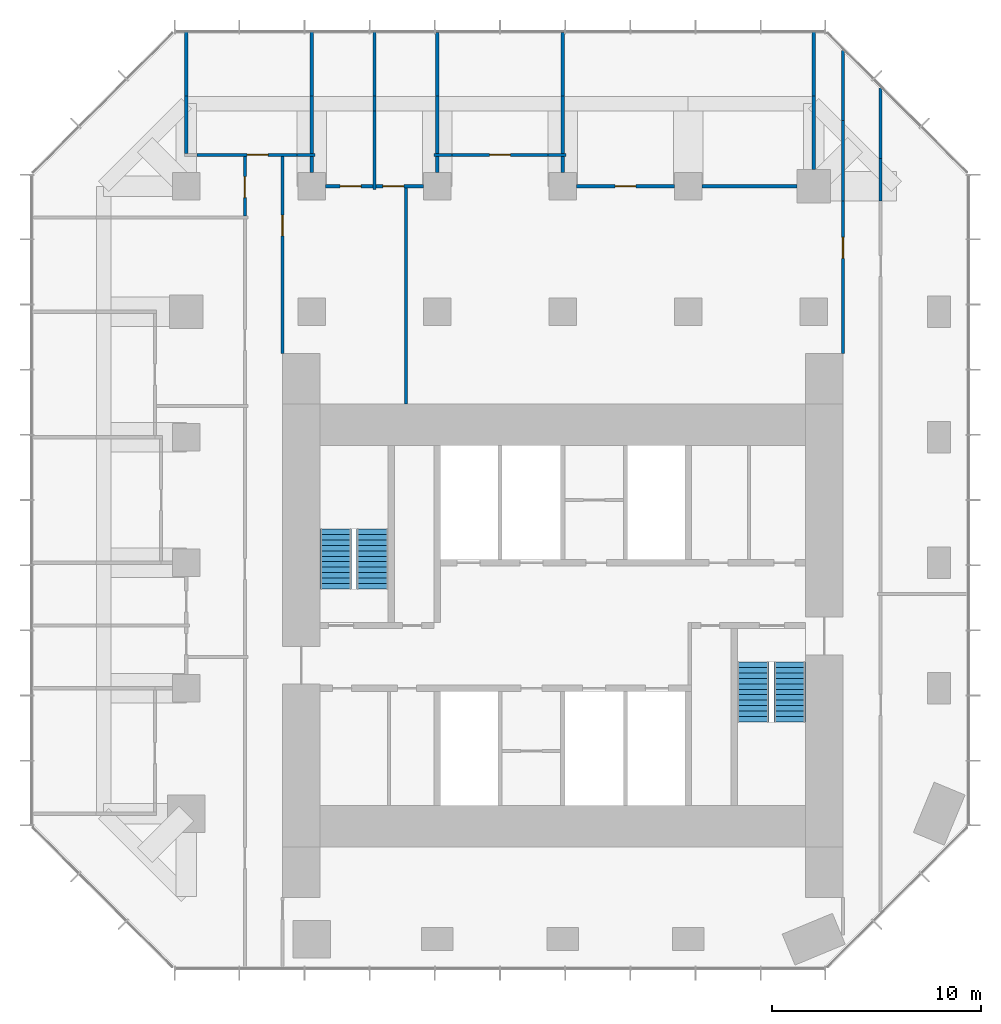
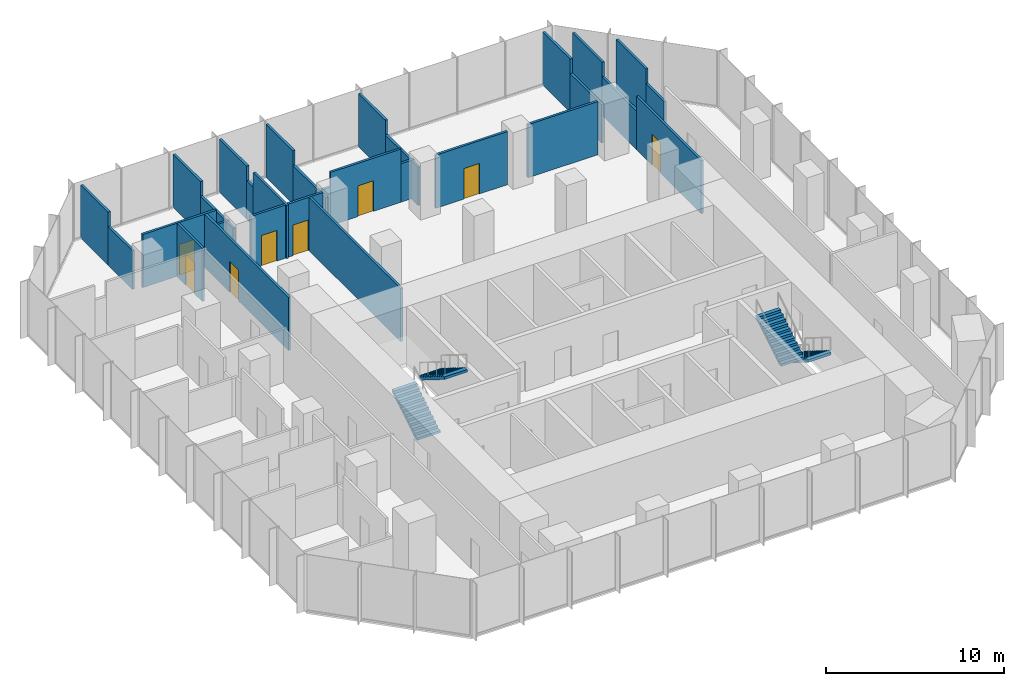
# One storey, part 10 of 11: 33 walls, 8 doors, 4 stair flights, 8 openings, 2 elements without a shape of their own.
"""IFC4 building model written with IfcOpenShell, lengths in metres."""

import ifcopenshell
import ifcopenshell.guid

model = None  # the IFC model being written
_history = None  # IfcOwnerHistory: only IFC2X3 demands one
_inside = {}  # id of a spatial element -> (the spatial element, [elements in it])
_under = {}  # id of a project, library or spatial element -> (it, [spatial elements below it])
_declared = {}  # id of a project -> (the project, [libraries it declares])
_typed = {}  # id of a type object -> (the type object, [elements of that type])
_made_of = {}  # id of a material, layer set ... -> (it, [elements and type objects made of it])


def new_model(schema):
    """Start an empty IFC model of exactly this schema.

    Asked for "IFC4X3", IfcOpenShell would pick the latest addendum, in which some entities
    have other attributes; the version numbers below select the first issue.
    IFC2X3 requires an IfcOwnerHistory on every rooted entity: one is made here for all.
    """
    global model, _history
    if schema == "IFC4X3":
        model = ifcopenshell.file(schema_version=(4, 3, 0, 0))
    else:
        model = ifcopenshell.file(schema=schema)
    _inside.clear()
    _under.clear()
    _declared.clear()
    _typed.clear()
    _made_of.clear()
    _history = None
    if model.schema == "IFC2X3":
        org = make("IfcOrganization", Name="unknown")
        user = make(
            "IfcPersonAndOrganization",
            ThePerson=make("IfcPerson", FamilyName="unknown"),
            TheOrganization=org,
        )
        app = make(
            "IfcApplication",
            ApplicationDeveloper=org,
            Version="unknown",
            ApplicationFullName="unknown",
            ApplicationIdentifier="unknown",
        )
        _history = make(
            "IfcOwnerHistory",
            OwningUser=user,
            OwningApplication=app,
            ChangeAction="ADDED",
            CreationDate=0,
        )
    return model


def make(cls, **values):
    """One entity of the class cls with the attributes given. An attribute that is None is left unset."""
    return model.create_entity(
        cls, **{name: value for name, value in values.items() if value is not None}
    )


def rooted(cls, **values):
    """An entity with a GlobalId (a new one), such as an element, a storey or a relation."""
    return make(cls, GlobalId=ifcopenshell.guid.new(), OwnerHistory=_history, **values)


def si_unit(unit_type, name, prefix=None):
    """IfcSIUnit, for example si_unit("LENGTHUNIT", "METRE", prefix="MILLI")."""
    return make("IfcSIUnit", UnitType=unit_type, Prefix=prefix, Name=name)


def assignment(units):
    """IfcUnitAssignment: the units of a project."""
    return None if units is None else make("IfcUnitAssignment", Units=units)


def point(xyz):
    """IfcCartesianPoint."""
    return None if xyz is None else make("IfcCartesianPoint", Coordinates=xyz)


def direction(xyz):
    """IfcDirection."""
    return None if xyz is None else make("IfcDirection", DirectionRatios=xyz)


def frame(location, z_axis=None, x_axis=None):
    """IfcAxis2Placement3D, a coordinate frame: its origin and axes. An axis left out is left unset."""
    return make(
        "IfcAxis2Placement3D",
        Location=point(location),
        Axis=direction(z_axis),
        RefDirection=direction(x_axis),
    )


def frame_2d(location, x_axis=None):
    """IfcAxis2Placement2D, a coordinate frame in the plane: its origin and x axis."""
    return make(
        "IfcAxis2Placement2D", Location=point(location), RefDirection=direction(x_axis)
    )


def origin():
    """The frame at (0, 0, 0) with its axes left unset."""
    return frame((0.0, 0.0, 0.0))


def place(relative_to, where):
    """IfcLocalPlacement: puts the frame where relative to a parent placement (None: the world)."""
    return make(
        "IfcLocalPlacement", PlacementRelTo=relative_to, RelativePlacement=where
    )


def context(
    kind, dimensions, precision=None, world=None, true_north=None, identifier=None
):
    """IfcGeometricRepresentationContext, for example the 3D "Model" context."""
    return make(
        "IfcGeometricRepresentationContext",
        ContextIdentifier=identifier,
        ContextType=kind,
        CoordinateSpaceDimension=dimensions,
        Precision=precision,
        WorldCoordinateSystem=world,
        TrueNorth=true_north,
    )


def subcontext(parent, identifier, kind, view, scale=None):
    """IfcGeometricRepresentationSubContext, for example "Body" below "Model"."""
    return make(
        "IfcGeometricRepresentationSubContext",
        ContextIdentifier=identifier,
        ContextType=kind,
        ParentContext=parent,
        TargetScale=scale,
        TargetView=view,
    )


def project(units=None, contexts=None):
    """IfcProject with its units and contexts."""
    return rooted(
        "IfcProject",
        Name="project",
        RepresentationContexts=contexts,
        UnitsInContext=assignment(units),
    )


def spatial(cls, under=None, at=None, **own):
    """A site, building, storey or space (cls), placed at a placement, below another one or the project."""
    s = rooted(cls, ObjectPlacement=at, **own)
    if under is not None:
        _under.setdefault(under.id(), (under, []))[1].append(s)
    return s


def polyline(points):
    """IfcPolyline through the points."""
    return make("IfcPolyline", Points=[point(p) for p in points])


def profile(cls, at=None, kind="AREA", **sizes):
    """A parametric profile (cls). Its sizes go by their IFC names, for example OverallWidth=200.0."""
    return make(cls, ProfileType=kind, Position=at, **sizes)


def rectangle(**sizes):
    """IfcRectangleProfileDef."""
    return profile("IfcRectangleProfileDef", **sizes)


def outline(outer, holes=None, kind="AREA"):
    """IfcArbitraryClosedProfileDef: a profile drawn as a closed curve; with holes, ...WithVoids."""
    if holes is None:
        return make("IfcArbitraryClosedProfileDef", ProfileType=kind, OuterCurve=outer)
    return make(
        "IfcArbitraryProfileDefWithVoids",
        ProfileType=kind,
        OuterCurve=outer,
        InnerCurves=holes,
    )


def extrude(swept, where, along, depth):
    """IfcExtrudedAreaSolid: the profile swept, set in the frame where, extruded along a direction by depth."""
    return make(
        "IfcExtrudedAreaSolid",
        SweptArea=swept,
        Position=where,
        ExtrudedDirection=direction(along),
        Depth=depth,
    )


def shape(context_of_items, identifier, shape_type, items):
    """IfcShapeRepresentation: the items that make up one representation, for example the "Body"."""
    return make(
        "IfcShapeRepresentation",
        ContextOfItems=context_of_items,
        RepresentationIdentifier=identifier,
        RepresentationType=shape_type,
        Items=items,
    )


def material(Name=None, Category=None):
    """IfcMaterial."""
    return make("IfcMaterial", Name=Name, Category=Category)


def layer(
    of_material, thickness, ventilated=None, Name=None, Category=None, Priority=None
):
    """IfcMaterialLayer: one layer of a wall or slab, of a material (None: an air gap)."""
    return make(
        "IfcMaterialLayer",
        Material=of_material,
        LayerThickness=thickness,
        IsVentilated=ventilated,
        Name=Name,
        Category=Category,
        Priority=Priority,
    )


def layer_set(layers, Name=None):
    """IfcMaterialLayerSet."""
    return make("IfcMaterialLayerSet", MaterialLayers=layers, LayerSetName=Name)


def made_of(thing, what):
    """Note that an element or type object is made of a material, layer set ...; save() writes the relation."""
    if what is not None:
        _made_of.setdefault(what.id(), (what, []))[1].append(thing)
    return thing


def type_object(cls, material=None, **own):
    """A type object (cls), such as IfcWallType, which elements share."""
    return made_of(rooted(cls, **own), material)


def element(
    cls,
    number,
    at=None,
    inside=None,
    cuts=None,
    type_object=None,
    material=None,
    context=None,
    identifier="Body",
    shape_type=None,
    held_by="IfcProductDefinitionShape",
    body=None,
    shapes=None,
    **own,
):
    """One element of the class cls, such as IfcWall. Its Tag is "e" and its number.

    at: its placement. inside: the storey or other place that contains it. cuts: it is an
    opening in that element (IfcRelVoidsElement). A single representation is given by context,
    identifier, shape_type and body (its items); several are given by shapes. held_by: the class
    of the entity that holds the representations. save() writes the other relations.
    """
    e = rooted(cls, Tag="e%d" % number, ObjectPlacement=at, **own)
    if body is not None:
        shapes = [shape(context, identifier, shape_type, body)]
    if shapes is not None:
        e.Representation = make(held_by, Representations=shapes)
    if inside is not None:
        _inside.setdefault(inside.id(), (inside, []))[1].append(e)
    if cuts is not None:
        rooted(
            "IfcRelVoidsElement", RelatingBuildingElement=cuts, RelatedOpeningElement=e
        )
    if type_object is not None:
        _typed.setdefault(type_object.id(), (type_object, []))[1].append(e)
    return made_of(e, material)


def fill(opening, filler):
    """IfcRelFillsElement: the door or window that sits in an opening."""
    return rooted(
        "IfcRelFillsElement",
        RelatingOpeningElement=opening,
        RelatedBuildingElement=filler,
    )


def aggregate(whole, parts):
    """IfcRelAggregates: a whole, such as a stair, and the parts it consists of."""
    return rooted("IfcRelAggregates", RelatingObject=whole, RelatedObjects=parts)


def save(model, path):
    """Write the relations noted so far, then the file.

    IfcRelAggregates (storeys below a building ...), IfcRelContainedInSpatialStructure (elements
    in a storey), IfcRelDefinesByType, IfcRelAssociatesMaterial and IfcRelDeclares: one each for
    every whole, place, type object, material and project.
    """
    for whole, parts in _under.values():
        aggregate(whole, parts)
    for where, things in _inside.values():
        rooted(
            "IfcRelContainedInSpatialStructure",
            RelatedElements=things,
            RelatingStructure=where,
        )
    for kind, things in _typed.values():
        rooted("IfcRelDefinesByType", RelatedObjects=things, RelatingType=kind)
    for what, things in _made_of.values():
        rooted("IfcRelAssociatesMaterial", RelatedObjects=things, RelatingMaterial=what)
    for by, libraries in _declared.values():
        rooted("IfcRelDeclares", RelatingContext=by, RelatedDefinitions=libraries)
    model.write(path)


model = new_model("IFC4")

# Units and contexts
model_context = context("Model", 3, precision=1e-05, world=origin(), true_north=direction((0.0, 1.0)))
body_context = subcontext(model_context, "Body", "Model", "MODEL_VIEW")
ifc_project = project(units=[si_unit("LENGTHUNIT", "METRE"), si_unit("AREAUNIT", "SQUARE_METRE"), si_unit("VOLUMEUNIT", "CUBIC_METRE"), si_unit("PLANEANGLEUNIT", "RADIAN"), si_unit("MASSUNIT", "GRAM", prefix="KILO")], contexts=[model_context])

# Site, building, storey
site_placement = place(None, origin())
site = spatial("IfcSite", under=ifc_project, at=site_placement, CompositionType="ELEMENT")
building_placement = place(site_placement, origin())
building = spatial("IfcBuilding", under=site, at=building_placement, Name="Highveld Stack Headquarters", CompositionType="ELEMENT")
storey_placement = place(building_placement, frame((0.0, 0.0, 200.60009765625)))
storey = spatial("IfcBuildingStorey", under=building, at=storey_placement, Name="L49", CompositionType="ELEMENT", Elevation=200.60009765625)

# Wall, opening, door
ifc_material_1 = material(Name="Gypsum plasterboard on steel studs", Category="steel")
ifc_layer = layer(ifc_material_1, 0.14990234375)
ifc_layer_set = layer_set([ifc_layer], Name="Gypsum plasterboard on steel studs")
wall_type = type_object("IfcWallType", Name="PARTITION 150 PLASTERBOARD", PredefinedType="PARTITIONING", material=ifc_layer_set)
wall_1_placement = place(storey_placement, frame((-5.340087890625, 24.0, 0.0), z_axis=(0.0, 0.0, 1.0), x_axis=(1.0, 0.0, 0.0)))
wall_1 = element("IfcWall", 1, at=wall_1_placement, inside=storey, type_object=wall_type, Name="Partition Office L49", PredefinedType="PARTITIONING", context=body_context, shape_type="SweptSolid", body=[
    extrude(rectangle(XDim=2.26513671875, YDim=0.14990234375, at=frame_2d((1.132568359375, 0.0))), origin(), (0.0, 0.0, 1.0), 3.64990234375),
])
opening_1_placement = place(wall_1_placement, frame((0.695068359375, 0.0, 0.0)))
opening_1 = element("IfcOpeningElement", 2, at=opening_1_placement, cuts=wall_1, Name="Opening L49-21", PredefinedType="OPENING", context=body_context, shape_type="SweptSolid", body=[
    extrude(rectangle(XDim=1.0, YDim=2.10009765625, at=frame_2d((0.5, 1.050048828125))), frame((0.0, 0.0849609375, 0.0), z_axis=(0.0, -1.0, 0.0), x_axis=(1.0, 0.0, 0.0)), (0.0, 0.0, 1.0), 0.169921875),
])
ifc_material_2 = material(Name="Timber door, oiled ash", Category="wood")
door_type = type_object("IfcDoorType", Name="ROOM DOOR D6 1000x2100", OperationType="SINGLE_SWING_LEFT", PredefinedType="DOOR", material=ifc_material_2)
door_1_placement = place(opening_1_placement, origin())
door_1 = element("IfcDoor", 3, at=door_1_placement, inside=storey, type_object=door_type, Name="Office door 1 L49", OperationType="SINGLE_SWING_RIGHT", OverallHeight=2.10009765625, OverallWidth=1.0, PredefinedType="DOOR", context=body_context, shape_type="SweptSolid", body=[
    extrude(rectangle(XDim=1.0, YDim=2.10009765625, at=frame_2d((0.5, 1.050048828125))), frame((0.0, 0.02490234375, 0.0), z_axis=(0.0, -1.0, 0.0), x_axis=(1.0, 0.0, 0.0)), (0.0, 0.0, 1.0), 0.050048828125),
])
fill(opening_1, door_1)

wall_2_placement = place(storey_placement, frame((-2.925048828125, 24.0, 0.0), z_axis=(0.0, 0.0, 1.0), x_axis=(1.0, 0.0, 0.0)))
wall_2 = element("IfcWall", 4, at=wall_2_placement, inside=storey, type_object=wall_type, Name="Partition Office L49", PredefinedType="PARTITIONING", context=body_context, shape_type="SweptSolid", body=[
    extrude(rectangle(XDim=2.26513671875, YDim=0.14990234375, at=frame_2d((1.132568359375, 0.0))), origin(), (0.0, 0.0, 1.0), 3.64990234375),
])
opening_2_placement = place(wall_2_placement, frame((0.324951171875, 0.0, 0.0)))
opening_2 = element("IfcOpeningElement", 5, at=opening_2_placement, cuts=wall_2, Name="Opening L49-22", PredefinedType="OPENING", context=body_context, shape_type="SweptSolid", body=[
    extrude(rectangle(XDim=1.0, YDim=2.10009765625, at=frame_2d((0.5, 1.050048828125))), frame((0.0, 0.0849609375, 0.0), z_axis=(0.0, -1.0, 0.0), x_axis=(1.0, 0.0, 0.0)), (0.0, 0.0, 1.0), 0.169921875),
])
door_2_placement = place(opening_2_placement, origin())
door_2 = element("IfcDoor", 6, at=door_2_placement, inside=storey, type_object=door_type, Name="Office door 1 L49", OperationType="SINGLE_SWING_LEFT", OverallHeight=2.10009765625, OverallWidth=1.0, PredefinedType="DOOR", context=body_context, shape_type="SweptSolid", body=[
    extrude(rectangle(XDim=1.0, YDim=2.10009765625, at=frame_2d((0.5, 1.050048828125))), frame((0.0, 0.02490234375, 0.0), z_axis=(0.0, -1.0, 0.0), x_axis=(1.0, 0.0, 0.0)), (0.0, 0.0, 1.0), 0.050048828125),
])
fill(opening_2, door_2)

wall_3_placement = place(storey_placement, frame((6.659912109375, 24.0, 0.0), z_axis=(0.0, 0.0, 1.0), x_axis=(1.0, 0.0, 0.0)))
wall_3 = element("IfcWall", 7, at=wall_3_placement, inside=storey, type_object=wall_type, Name="Partition Team office L49", PredefinedType="PARTITIONING", context=body_context, shape_type="SweptSolid", body=[
    extrude(rectangle(XDim=4.68017578125, YDim=0.14990234375, at=frame_2d((2.340087890625, 0.0))), origin(), (0.0, 0.0, 1.0), 3.64990234375),
])
opening_3_placement = place(wall_3_placement, frame((1.840087890625, 0.0, 0.0)))
opening_3 = element("IfcOpeningElement", 8, at=opening_3_placement, cuts=wall_3, Name="Opening L49-24", PredefinedType="OPENING", context=body_context, shape_type="SweptSolid", body=[
    extrude(rectangle(XDim=1.0, YDim=2.10009765625, at=frame_2d((0.5, 1.050048828125))), frame((0.0, 0.0849609375, 0.0), z_axis=(0.0, -1.0, 0.0), x_axis=(1.0, 0.0, 0.0)), (0.0, 0.0, 1.0), 0.169921875),
])
door_3_placement = place(opening_3_placement, origin())
door_3 = element("IfcDoor", 9, at=door_3_placement, inside=storey, type_object=door_type, Name="Team office door 1 L49", OperationType="SINGLE_SWING_LEFT", OverallHeight=2.10009765625, OverallWidth=1.0, PredefinedType="DOOR", context=body_context, shape_type="SweptSolid", body=[
    extrude(rectangle(XDim=1.0, YDim=2.10009765625, at=frame_2d((0.5, 1.050048828125))), frame((0.0, 0.02490234375, 0.0), z_axis=(0.0, -1.0, 0.0), x_axis=(1.0, 0.0, 0.0)), (0.0, 0.0, 1.0), 0.050048828125),
])
fill(opening_3, door_3)

# Wall
wall_4_placement = place(storey_placement, frame((12.659912109375, 24.0, 0.0), z_axis=(0.0, 0.0, 1.0), x_axis=(1.0, 0.0, 0.0)))
element("IfcWall", 10, at=wall_4_placement, inside=storey, type_object=wall_type, Name="Partition Team office L49", PredefinedType="PARTITIONING", context=body_context, shape_type="SweptSolid", body=[
    extrude(rectangle(XDim=4.5400390625, YDim=0.14990234375, at=frame_2d((2.27001953125, 0.0))), origin(), (0.0, 0.0, 1.0), 3.64990234375),
])

# Wall, opening, door
wall_5_placement = place(storey_placement, frame((-11.489990234375, 25.5, 0.0), z_axis=(0.0, 0.0, 1.0), x_axis=(1.0, 0.0, 0.0)))
wall_5 = element("IfcWall", 11, at=wall_5_placement, inside=storey, type_object=wall_type, Name="Partition Quiet room L49", PredefinedType="PARTITIONING", context=body_context, shape_type="SweptSolid", body=[
    extrude(rectangle(XDim=4.780029296875, YDim=0.14990234375, at=frame_2d((2.39013671875, 0.0))), origin(), (0.0, 0.0, 1.0), 3.64990234375),
])
opening_4_placement = place(wall_5_placement, frame((2.39990234375, 0.0, 0.0)))
opening_4 = element("IfcOpeningElement", 12, at=opening_4_placement, cuts=wall_5, Name="Opening L49-20", PredefinedType="OPENING", context=body_context, shape_type="SweptSolid", body=[
    extrude(rectangle(XDim=1.0, YDim=2.10009765625, at=frame_2d((0.5, 1.050048828125))), frame((0.0, 0.0849609375, 0.0), z_axis=(0.0, -1.0, 0.0), x_axis=(1.0, 0.0, 0.0)), (0.0, 0.0, 1.0), 0.169921875),
])
door_4_placement = place(opening_4_placement, origin())
door_4 = element("IfcDoor", 13, at=door_4_placement, inside=storey, type_object=door_type, Name="Quiet room door 1 L49", OperationType="SINGLE_SWING_RIGHT", OverallHeight=2.10009765625, OverallWidth=1.0, PredefinedType="DOOR", context=body_context, shape_type="SweptSolid", body=[
    extrude(rectangle(XDim=1.0, YDim=2.10009765625, at=frame_2d((0.5, 1.050048828125))), frame((0.0, 0.02490234375, 0.0), z_axis=(0.0, -1.0, 0.0), x_axis=(1.0, 0.0, 0.0)), (0.0, 0.0, 1.0), 0.050048828125),
])
fill(opening_4, door_4)

# Walls
for number, where, z_axis, x_axis, name in (
    (14, (-6.7099609375, 25.5, 0.0), (0.0, 0.0, 1.0), (1.0, 0.0, 0.0), "Partition Quiet room L49"),
    (15, (-0.14990234375, 25.5, 0.0), (0.0, 0.0, 1.0), (1.0, 0.0, 0.0), "Partition Quiet room L49"),
):
    element("IfcWall", number, at=place(storey_placement, frame(where, z_axis=z_axis, x_axis=x_axis)), inside=storey, type_object=wall_type, Name=name, PredefinedType="PARTITIONING", context=body_context, shape_type="SweptSolid", body=[
        extrude(rectangle(XDim=0.85986328125, YDim=0.14990234375, at=frame_2d((0.429931640625, 0.0))), origin(), (0.0, 0.0, 1.0), 2.64990234375),
    ])

# Wall, opening, door
wall_6_placement = place(storey_placement, frame((0.7099609375, 25.5, 0.0), z_axis=(0.0, 0.0, 1.0), x_axis=(1.0, 0.0, 0.0)))
wall_6 = element("IfcWall", 16, at=wall_6_placement, inside=storey, type_object=wall_type, Name="Partition Quiet room L49", PredefinedType="PARTITIONING", context=body_context, shape_type="SweptSolid", body=[
    extrude(rectangle(XDim=4.580078125, YDim=0.14990234375, at=frame_2d((2.2900390625, 0.0))), origin(), (0.0, 0.0, 1.0), 3.64990234375),
])
opening_5_placement = place(wall_6_placement, frame((1.7900390625, 0.0, 0.0)))
opening_5 = element("IfcOpeningElement", 17, at=opening_5_placement, cuts=wall_6, Name="Opening L49-23", PredefinedType="OPENING", context=body_context, shape_type="SweptSolid", body=[
    extrude(rectangle(XDim=1.0, YDim=2.10009765625, at=frame_2d((0.5, 1.050048828125))), frame((0.0, 0.0849609375, 0.0), z_axis=(0.0, -1.0, 0.0), x_axis=(1.0, 0.0, 0.0)), (0.0, 0.0, 1.0), 0.169921875),
])
door_5_placement = place(opening_5_placement, origin())
door_5 = element("IfcDoor", 18, at=door_5_placement, inside=storey, type_object=door_type, Name="Quiet room door 1 L49", OperationType="SINGLE_SWING_RIGHT", OverallHeight=2.10009765625, OverallWidth=1.0, PredefinedType="DOOR", context=body_context, shape_type="SweptSolid", body=[
    extrude(rectangle(XDim=1.0, YDim=2.10009765625, at=frame_2d((0.5, 1.050048828125))), frame((0.0, 0.02490234375, 0.0), z_axis=(0.0, -1.0, 0.0), x_axis=(1.0, 0.0, 0.0)), (0.0, 0.0, 1.0), 0.050048828125),
])
fill(opening_5, door_5)

# Walls
wall_7_placement = place(storey_placement, frame((5.2900390625, 25.5, 0.0), z_axis=(0.0, 0.0, 1.0), x_axis=(1.0, 0.0, 0.0)))
element("IfcWall", 19, at=wall_7_placement, inside=storey, type_object=wall_type, Name="Partition Quiet room L49", PredefinedType="PARTITIONING", context=body_context, shape_type="SweptSolid", body=[
    extrude(rectangle(XDim=0.85986328125, YDim=0.14990234375, at=frame_2d((0.429931640625, 0.0))), origin(), (0.0, 0.0, 1.0), 2.64990234375),
])
wall_8_placement = place(storey_placement, frame((-12.0, 25.574951171875, 0.0), z_axis=(0.0, 0.0, 1.0), x_axis=(0.0, 1.0, 0.0)))
element("IfcWall", 20, at=wall_8_placement, inside=storey, type_object=wall_type, Name="Partition Quiet room L49", PredefinedType="PARTITIONING", context=body_context, shape_type="SweptSolid", body=[
    extrude(rectangle(XDim=2.735107421875, YDim=0.14990234375, at=frame_2d((1.36767578125, 0.0))), origin(), (0.0, 0.0, 1.0), 2.64990234375),
])
wall_9_placement = place(storey_placement, frame((-12.0, 28.31005859375, 0.0), z_axis=(0.0, 0.0, 1.0), x_axis=(0.0, 1.0, 0.0)))
element("IfcWall", 21, at=wall_9_placement, inside=storey, type_object=wall_type, Name="Partition Quiet room L49", PredefinedType="PARTITIONING", context=body_context, shape_type="SweptSolid", body=[
    extrude(rectangle(XDim=3.08984375, YDim=0.14990234375, at=frame_2d((1.544921875, 0.0))), origin(), (0.0, 0.0, 1.0), 3.64990234375),
])
wall_10_placement = place(storey_placement, frame((-6.0, 24.64990234375, 0.0), z_axis=(0.0, 0.0, 1.0), x_axis=(0.0, 1.0, 0.0)))
element("IfcWall", 22, at=wall_10_placement, inside=storey, type_object=wall_type, Name="Partition Office L49", PredefinedType="PARTITIONING", context=body_context, shape_type="SweptSolid", body=[
    extrude(rectangle(XDim=0.775146484375, YDim=0.14990234375, at=frame_2d((0.3876953125, 0.0))), origin(), (0.0, 0.0, 1.0), 2.64990234375),
])
wall_11_placement = place(storey_placement, frame((-6.0, 25.574951171875, 0.0), z_axis=(0.0, 0.0, 1.0), x_axis=(0.0, 1.0, 0.0)))
element("IfcWall", 23, at=wall_11_placement, inside=storey, type_object=wall_type, Name="Partition Office / Quiet room L49", PredefinedType="PARTITIONING", context=body_context, shape_type="SweptSolid", body=[
    extrude(rectangle(XDim=2.735107421875, YDim=0.14990234375, at=frame_2d((1.36767578125, 0.0))), origin(), (0.0, 0.0, 1.0), 2.64990234375),
])
wall_12_placement = place(storey_placement, frame((-6.0, 28.31005859375, 0.0), z_axis=(0.0, 0.0, 1.0), x_axis=(0.0, 1.0, 0.0)))
element("IfcWall", 24, at=wall_12_placement, inside=storey, type_object=wall_type, Name="Partition Office / Quiet room L49", PredefinedType="PARTITIONING", context=body_context, shape_type="SweptSolid", body=[
    extrude(rectangle(XDim=3.08984375, YDim=0.14990234375, at=frame_2d((1.544921875, 0.0))), origin(), (0.0, 0.0, 1.0), 3.64990234375),
])
wall_13_placement = place(storey_placement, frame((-3.0, 23.85009765625, 0.0), z_axis=(0.0, 0.0, 1.0), x_axis=(0.0, 1.0, 0.0)))
element("IfcWall", 25, at=wall_13_placement, inside=storey, type_object=wall_type, Name="Partition Office L49", PredefinedType="PARTITIONING", context=body_context, shape_type="SweptSolid", body=[
    extrude(rectangle(XDim=3.739990234375, YDim=0.14990234375, at=frame_2d((1.8701171875, 0.0))), origin(), (0.0, 0.0, 1.0), 3.64990234375),
])
wall_14_placement = place(storey_placement, frame((-3.0, 27.590087890625, 0.0), z_axis=(0.0, 0.0, 1.0), x_axis=(0.0, 1.0, 0.0)))
element("IfcWall", 26, at=wall_14_placement, inside=storey, type_object=wall_type, Name="Partition Office L49", PredefinedType="PARTITIONING", context=body_context, shape_type="SweptSolid", body=[
    extrude(rectangle(XDim=0.719970703125, YDim=0.14990234375, at=frame_2d((0.35986328125, 0.0))), origin(), (0.0, 0.0, 1.0), 2.64990234375),
])
wall_15_placement = place(storey_placement, frame((-3.0, 28.31005859375, 0.0), z_axis=(0.0, 0.0, 1.0), x_axis=(0.0, 1.0, 0.0)))
element("IfcWall", 27, at=wall_15_placement, inside=storey, type_object=wall_type, Name="Partition Office L49", PredefinedType="PARTITIONING", context=body_context, shape_type="SweptSolid", body=[
    extrude(rectangle(XDim=3.08984375, YDim=0.14990234375, at=frame_2d((1.544921875, 0.0))), origin(), (0.0, 0.0, 1.0), 3.64990234375),
])
wall_16_placement = place(storey_placement, frame((0.0, 24.64990234375, 0.0), z_axis=(0.0, 0.0, 1.0), x_axis=(0.0, 1.0, 0.0)))
element("IfcWall", 28, at=wall_16_placement, inside=storey, type_object=wall_type, Name="Partition Office L49", PredefinedType="PARTITIONING", context=body_context, shape_type="SweptSolid", body=[
    extrude(rectangle(XDim=0.775146484375, YDim=0.14990234375, at=frame_2d((0.3876953125, 0.0))), origin(), (0.0, 0.0, 1.0), 2.64990234375),
])
wall_17_placement = place(storey_placement, frame((0.0, 25.574951171875, 0.0), z_axis=(0.0, 0.0, 1.0), x_axis=(0.0, 1.0, 0.0)))
element("IfcWall", 29, at=wall_17_placement, inside=storey, type_object=wall_type, Name="Partition Office / Quiet room L49", PredefinedType="PARTITIONING", context=body_context, shape_type="SweptSolid", body=[
    extrude(rectangle(XDim=2.735107421875, YDim=0.14990234375, at=frame_2d((1.36767578125, 0.0))), origin(), (0.0, 0.0, 1.0), 2.64990234375),
])
wall_18_placement = place(storey_placement, frame((0.0, 28.31005859375, 0.0), z_axis=(0.0, 0.0, 1.0), x_axis=(0.0, 1.0, 0.0)))
element("IfcWall", 30, at=wall_18_placement, inside=storey, type_object=wall_type, Name="Partition Office / Quiet room L49", PredefinedType="PARTITIONING", context=body_context, shape_type="SweptSolid", body=[
    extrude(rectangle(XDim=3.0400390625, YDim=0.14990234375, at=frame_2d((1.52001953125, 0.0))), origin(), (0.0, 0.0, 1.0), 3.64990234375),
])
wall_19_placement = place(storey_placement, frame((6.0, 24.64990234375, 0.0), z_axis=(0.0, 0.0, 1.0), x_axis=(0.0, 1.0, 0.0)))
element("IfcWall", 31, at=wall_19_placement, inside=storey, type_object=wall_type, Name="Partition Team office L49", PredefinedType="PARTITIONING", context=body_context, shape_type="SweptSolid", body=[
    extrude(rectangle(XDim=0.775146484375, YDim=0.14990234375, at=frame_2d((0.3876953125, 0.0))), origin(), (0.0, 0.0, 1.0), 2.64990234375),
])
wall_20_placement = place(storey_placement, frame((6.0, 25.574951171875, 0.0), z_axis=(0.0, 0.0, 1.0), x_axis=(0.0, 1.0, 0.0)))
element("IfcWall", 32, at=wall_20_placement, inside=storey, type_object=wall_type, Name="Partition Quiet room / Team office L49", PredefinedType="PARTITIONING", context=body_context, shape_type="SweptSolid", body=[
    extrude(rectangle(XDim=2.735107421875, YDim=0.14990234375, at=frame_2d((1.36767578125, 0.0))), origin(), (0.0, 0.0, 1.0), 2.64990234375),
])
wall_21_placement = place(storey_placement, frame((6.0, 28.31005859375, 0.0), z_axis=(0.0, 0.0, 1.0), x_axis=(0.0, 1.0, 0.0)))
element("IfcWall", 33, at=wall_21_placement, inside=storey, type_object=wall_type, Name="Partition Quiet room / Team office L49", PredefinedType="PARTITIONING", context=body_context, shape_type="SweptSolid", body=[
    extrude(rectangle(XDim=3.0400390625, YDim=0.14990234375, at=frame_2d((1.52001953125, 0.0))), origin(), (0.0, 0.0, 1.0), 3.64990234375),
])
wall_22_placement = place(storey_placement, frame((18.0, 24.800048828125, 0.0), z_axis=(0.0, 0.0, 1.0), x_axis=(0.0, 1.0, 0.0)))
element("IfcWall", 34, at=wall_22_placement, inside=storey, type_object=wall_type, Name="Partition Team office L49", PredefinedType="PARTITIONING", context=body_context, shape_type="SweptSolid", body=[
    extrude(rectangle(XDim=3.510009765625, YDim=0.14990234375, at=frame_2d((1.7548828125, 0.0))), origin(), (0.0, 0.0, 1.0), 2.64990234375),
])
wall_23_placement = place(storey_placement, frame((18.0, 28.31005859375, 0.0), z_axis=(0.0, 0.0, 1.0), x_axis=(0.0, 1.0, 0.0)))
element("IfcWall", 35, at=wall_23_placement, inside=storey, type_object=wall_type, Name="Partition Team office L49", PredefinedType="PARTITIONING", context=body_context, shape_type="SweptSolid", body=[
    extrude(rectangle(XDim=3.08984375, YDim=0.14990234375, at=frame_2d((1.544921875, 0.0))), origin(), (0.0, 0.0, 1.0), 3.64990234375),
])

# Wall, opening, door
wall_24_placement = place(storey_placement, frame((-9.199951171875, 22.574951171875, 0.0), z_axis=(0.0, 0.0, 1.0), x_axis=(0.0, 1.0, 0.0)))
wall_24 = element("IfcWall", 36, at=wall_24_placement, inside=storey, type_object=wall_type, Name="Partition office neighbourhood L49", PredefinedType="PARTITIONING", context=body_context, shape_type="SweptSolid", body=[
    extrude(rectangle(XDim=2.85009765625, YDim=0.14990234375, at=frame_2d((1.425048828125, 0.0))), origin(), (0.0, 0.0, 1.0), 3.64990234375),
])
opening_6_placement = place(wall_24_placement, frame((0.886962890625, 0.0, 0.0)))
opening_6 = element("IfcOpeningElement", 37, at=opening_6_placement, cuts=wall_24, Name="Opening L49-32", PredefinedType="OPENING", context=body_context, shape_type="SweptSolid", body=[
    extrude(rectangle(XDim=1.0, YDim=2.10009765625, at=frame_2d((0.5, 1.050048828125))), frame((0.0, 0.0849609375, 0.0), z_axis=(0.0, -1.0, 0.0), x_axis=(1.0, 0.0, 0.0)), (0.0, 0.0, 1.0), 0.169921875),
])
door_6_placement = place(opening_6_placement, origin())
door_6 = element("IfcDoor", 38, at=door_6_placement, inside=storey, type_object=door_type, Name="Office neighbourhood door L49", OperationType="SINGLE_SWING_LEFT", OverallHeight=2.10009765625, OverallWidth=1.0, PredefinedType="DOOR", context=body_context, shape_type="SweptSolid", body=[
    extrude(rectangle(XDim=1.0, YDim=2.10009765625, at=frame_2d((0.5, 1.050048828125))), frame((0.0, 0.02490234375, 0.0), z_axis=(0.0, -1.0, 0.0), x_axis=(1.0, 0.0, 0.0)), (0.0, 0.0, 1.0), 0.050048828125),
])
fill(opening_6, door_6)

wall_25_placement = place(storey_placement, frame((-7.39990234375, 16.0, 0.0), z_axis=(0.0, 0.0, 1.0), x_axis=(0.0, 1.0, 0.0)))
wall_25 = element("IfcWall", 39, at=wall_25_placement, inside=storey, type_object=wall_type, Name="Partition office neighbourhood L49", PredefinedType="PARTITIONING", context=body_context, shape_type="SweptSolid", body=[
    extrude(rectangle(XDim=9.425048828125, YDim=0.14990234375, at=frame_2d((4.71240234375, 0.0))), origin(), (0.0, 0.0, 1.0), 3.64990234375),
])
opening_7_placement = place(wall_25_placement, frame((5.6259765625, 0.0, 0.0)))
opening_7 = element("IfcOpeningElement", 40, at=opening_7_placement, cuts=wall_25, Name="Opening L49-30", PredefinedType="OPENING", context=body_context, shape_type="SweptSolid", body=[
    extrude(rectangle(XDim=1.0, YDim=2.10009765625, at=frame_2d((0.5, 1.050048828125))), frame((0.0, 0.0849609375, 0.0), z_axis=(0.0, -1.0, 0.0), x_axis=(1.0, 0.0, 0.0)), (0.0, 0.0, 1.0), 0.169921875),
])
door_7_placement = place(opening_7_placement, origin())
door_7 = element("IfcDoor", 41, at=door_7_placement, inside=storey, type_object=door_type, Name="Office neighbourhood door L49", OperationType="SINGLE_SWING_RIGHT", OverallHeight=2.10009765625, OverallWidth=1.0, PredefinedType="DOOR", context=body_context, shape_type="SweptSolid", body=[
    extrude(rectangle(XDim=1.0, YDim=2.10009765625, at=frame_2d((0.5, 1.050048828125))), frame((0.0, 0.02490234375, 0.0), z_axis=(0.0, -1.0, 0.0), x_axis=(1.0, 0.0, 0.0)), (0.0, 0.0, 1.0), 0.050048828125),
])
fill(opening_7, door_7)

# Wall
wall_26_placement = place(storey_placement, frame((-1.5, 13.60009765625, 0.0), z_axis=(0.0, 0.0, 1.0), x_axis=(0.0, 1.0, 0.0)))
element("IfcWall", 42, at=wall_26_placement, inside=storey, type_object=wall_type, Name="Partition office neighbourhood L49", PredefinedType="PARTITIONING", context=body_context, shape_type="SweptSolid", body=[
    extrude(rectangle(XDim=10.324951171875, YDim=0.14990234375, at=frame_2d((5.16259765625, 0.0))), origin(), (0.0, 0.0, 1.0), 3.64990234375),
])

# Wall, opening, door
wall_27_placement = place(storey_placement, frame((19.39990234375, 16.0, 0.0), z_axis=(0.0, 0.0, 1.0), x_axis=(0.0, 1.0, 0.0)))
wall_27 = element("IfcWall", 43, at=wall_27_placement, inside=storey, type_object=wall_type, Name="Partition office neighbourhood L49", PredefinedType="PARTITIONING", context=body_context, shape_type="SweptSolid", body=[
    extrude(rectangle(XDim=7.2900390625, YDim=0.14990234375, at=frame_2d((3.64501953125, 0.0))), origin(), (0.0, 0.0, 1.0), 3.64990234375),
])
opening_8_placement = place(wall_27_placement, frame((4.553955078125, 0.0, 0.0)))
opening_8 = element("IfcOpeningElement", 44, at=opening_8_placement, cuts=wall_27, Name="Opening L49-31", PredefinedType="OPENING", context=body_context, shape_type="SweptSolid", body=[
    extrude(rectangle(XDim=1.0, YDim=2.10009765625, at=frame_2d((0.5, 1.050048828125))), frame((0.0, 0.0849609375, 0.0), z_axis=(0.0, -1.0, 0.0), x_axis=(1.0, 0.0, 0.0)), (0.0, 0.0, 1.0), 0.169921875),
])
door_8_placement = place(opening_8_placement, origin())
door_8 = element("IfcDoor", 45, at=door_8_placement, inside=storey, type_object=door_type, Name="Office neighbourhood door L49", OperationType="SINGLE_SWING_RIGHT", OverallHeight=2.10009765625, OverallWidth=1.0, PredefinedType="DOOR", context=body_context, shape_type="SweptSolid", body=[
    extrude(rectangle(XDim=1.0, YDim=2.10009765625, at=frame_2d((0.5, 1.050048828125))), frame((0.0, 0.02490234375, 0.0), z_axis=(0.0, -1.0, 0.0), x_axis=(1.0, 0.0, 0.0)), (0.0, 0.0, 1.0), 0.050048828125),
])
fill(opening_8, door_8)

# Walls
wall_28_placement = place(storey_placement, frame((19.39990234375, 23.2900390625, 0.0), z_axis=(0.0, 0.0, 1.0), x_axis=(0.0, 1.0, 0.0)))
element("IfcWall", 46, at=wall_28_placement, inside=storey, type_object=wall_type, Name="Partition office neighbourhood L49", PredefinedType="PARTITIONING", context=body_context, shape_type="SweptSolid", body=[
    extrude(rectangle(XDim=3.849853515625, YDim=0.14990234375, at=frame_2d((1.9248046875, 0.0))), origin(), (0.0, 0.0, 1.0), 2.64990234375),
])
wall_29_placement = place(storey_placement, frame((19.39990234375, 27.139892578125, 0.0), z_axis=(0.0, 0.0, 1.0), x_axis=(0.0, 1.0, 0.0)))
element("IfcWall", 47, at=wall_29_placement, inside=storey, type_object=wall_type, Name="Partition office neighbourhood L49", PredefinedType="PARTITIONING", context=body_context, shape_type="SweptSolid", body=[
    extrude(rectangle(XDim=3.34912109375, YDim=0.14990234375, at=frame_2d((1.674560546875, 0.0))), origin(), (0.0, 0.0, 1.0), 3.64990234375),
])
wall_30_placement = place(storey_placement, frame((21.199951171875, 23.2900390625, 0.0), z_axis=(0.0, 0.0, 1.0), x_axis=(0.0, 1.0, 0.0)))
element("IfcWall", 48, at=wall_30_placement, inside=storey, type_object=wall_type, Name="Partition office neighbourhood L49", PredefinedType="PARTITIONING", context=body_context, shape_type="SweptSolid", body=[
    extrude(rectangle(XDim=2.050048828125, YDim=0.14990234375, at=frame_2d((1.02490234375, 0.0))), origin(), (0.0, 0.0, 1.0), 2.64990234375),
])
wall_31_placement = place(storey_placement, frame((21.199951171875, 25.340087890625, 0.0), z_axis=(0.0, 0.0, 1.0), x_axis=(0.0, 1.0, 0.0)))
element("IfcWall", 49, at=wall_31_placement, inside=storey, type_object=wall_type, Name="Partition office neighbourhood L49", PredefinedType="PARTITIONING", context=body_context, shape_type="SweptSolid", body=[
    extrude(rectangle(XDim=3.348876953125, YDim=0.14990234375, at=frame_2d((1.67431640625, 0.0))), origin(), (0.0, 0.0, 1.0), 3.64990234375),
])

# Stair, stair flights
ifc_material_3 = material(Name="Concrete C40/50, precast", Category="concrete")
stair_type_1 = type_object("IfcStairType", Name="STAIR S1 HALF TURN 1500", PredefinedType="HALF_TURN_STAIR", material=ifc_material_3)
stair_1_placement = place(storey_placement, origin())
stair_1 = element("IfcStair", 50, at=stair_1_placement, inside=storey, type_object=stair_type_1, Name="Stair S1 L49", PredefinedType="HALF_TURN_STAIR")
ifc_material_4 = material(Name="Concrete C40/50, precast", Category="concrete")
stair_flight_type = type_object("IfcStairFlightType", Name="STAIR FLIGHT 1500 PRECAST", PredefinedType="STRAIGHT", material=ifc_material_4)
stair_flight_1_placement = place(storey_placement, frame((-4.85009765625, 4.75, 0.0), z_axis=(0.0, 0.0, 1.0), x_axis=(0.0, 1.0, 0.0)))
stair_flight_1 = element("IfcStairFlight", 51, at=stair_flight_1_placement, type_object=stair_flight_type, Name="S1 flight 1", NumberOfRisers=12, NumberOfTreads=11, PredefinedType="STRAIGHT", RiserHeight=0.1625, TreadLength=0.26, context=body_context, shape_type="SweptSolid", body=[
    extrude(outline(polyline([(0.0, 0.0), (0.0, 0.16259765625), (0.260009765625, 0.16259765625), (0.260009765625, 0.324951171875), (0.52001953125, 0.324951171875), (0.52001953125, 0.487548828125), (0.780029296875, 0.487548828125), (0.780029296875, 0.64990234375), (1.0400390625, 0.64990234375), (1.0400390625, 0.8125), (1.300048828125, 0.8125), (1.300048828125, 0.97509765625), (1.56005859375, 0.97509765625), (1.56005859375, 1.137451171875), (1.820068359375, 1.137451171875), (1.820068359375, 1.300048828125), (2.080078125, 1.300048828125), (2.080078125, 1.46240234375), (2.340087890625, 1.46240234375), (2.340087890625, 1.625), (2.60009765625, 1.625), (2.60009765625, 1.78759765625), (2.860107421875, 1.78759765625), (2.860107421875, 1.949951171875), (2.860107421875, 1.61083984375), (0.28271484375, 0.0), (0.0, 0.0)])), frame((0.0, 0.75, 0.0), z_axis=(0.0, -1.0, 0.0), x_axis=(1.0, 0.0, 0.0)), (0.0, 0.0, 1.0), 1.5),
])
stair_flight_2_placement = place(storey_placement, frame((-3.10009765625, 7.610107421875, 1.949951171875), z_axis=(0.0, 0.0, 1.0), x_axis=(0.0, -1.0, 0.0)))
stair_flight_2 = element("IfcStairFlight", 52, at=stair_flight_2_placement, type_object=stair_flight_type, Name="S1 flight 2", NumberOfRisers=12, NumberOfTreads=11, PredefinedType="STRAIGHT", RiserHeight=0.1625, TreadLength=0.26, context=body_context, shape_type="SweptSolid", body=[
    extrude(outline(polyline([(0.0, 0.0), (0.0, 0.16259765625), (0.260009765625, 0.16259765625), (0.260009765625, 0.324951171875), (0.52001953125, 0.324951171875), (0.52001953125, 0.487548828125), (0.780029296875, 0.487548828125), (0.780029296875, 0.64990234375), (1.0400390625, 0.64990234375), (1.0400390625, 0.8125), (1.300048828125, 0.8125), (1.300048828125, 0.97509765625), (1.56005859375, 0.97509765625), (1.56005859375, 1.137451171875), (1.820068359375, 1.137451171875), (1.820068359375, 1.300048828125), (2.080078125, 1.300048828125), (2.080078125, 1.46240234375), (2.340087890625, 1.46240234375), (2.340087890625, 1.625), (2.60009765625, 1.625), (2.60009765625, 1.78759765625), (2.860107421875, 1.78759765625), (2.860107421875, 1.949951171875), (2.860107421875, 1.61083984375), (0.28271484375, 0.0), (0.0, 0.0)])), frame((0.0, 0.75, 0.0), z_axis=(0.0, -1.0, 0.0), x_axis=(1.0, 0.0, 0.0)), (0.0, 0.0, 1.0), 1.5),
])
aggregate(stair_1, [stair_flight_1, stair_flight_2])

ifc_material_5 = material(Name="Concrete C40/50, precast", Category="concrete")
stair_type_2 = type_object("IfcStairType", Name="STAIR S2 HALF TURN 1500", PredefinedType="HALF_TURN_STAIR", material=ifc_material_5)
stair_2_placement = place(storey_placement, origin())
stair_2 = element("IfcStair", 53, at=stair_2_placement, inside=storey, type_object=stair_type_2, Name="Stair S2 L49", PredefinedType="HALF_TURN_STAIR")
stair_flight_3_placement = place(storey_placement, frame((16.85009765625, 1.25, 0.0), z_axis=(0.0, 0.0, 1.0), x_axis=(0.0, -1.0, 0.0)))
stair_flight_3 = element("IfcStairFlight", 54, at=stair_flight_3_placement, type_object=stair_flight_type, Name="S2 flight 1", NumberOfRisers=12, NumberOfTreads=11, PredefinedType="STRAIGHT", RiserHeight=0.1625, TreadLength=0.26, context=body_context, shape_type="SweptSolid", body=[
    extrude(outline(polyline([(0.0, 0.0), (0.0, 0.16259765625), (0.260009765625, 0.16259765625), (0.260009765625, 0.324951171875), (0.52001953125, 0.324951171875), (0.52001953125, 0.487548828125), (0.780029296875, 0.487548828125), (0.780029296875, 0.64990234375), (1.0400390625, 0.64990234375), (1.0400390625, 0.8125), (1.300048828125, 0.8125), (1.300048828125, 0.97509765625), (1.56005859375, 0.97509765625), (1.56005859375, 1.137451171875), (1.820068359375, 1.137451171875), (1.820068359375, 1.300048828125), (2.080078125, 1.300048828125), (2.080078125, 1.46240234375), (2.340087890625, 1.46240234375), (2.340087890625, 1.625), (2.60009765625, 1.625), (2.60009765625, 1.78759765625), (2.860107421875, 1.78759765625), (2.860107421875, 1.949951171875), (2.860107421875, 1.61083984375), (0.28271484375, 0.0), (0.0, 0.0)])), frame((0.0, 0.75, 0.0), z_axis=(0.0, -1.0, 0.0), x_axis=(1.0, 0.0, 0.0)), (0.0, 0.0, 1.0), 1.5),
])
stair_flight_4_placement = place(storey_placement, frame((15.10009765625, -1.610107421875, 1.949951171875), z_axis=(0.0, 0.0, 1.0), x_axis=(0.0, 1.0, 0.0)))
stair_flight_4 = element("IfcStairFlight", 55, at=stair_flight_4_placement, type_object=stair_flight_type, Name="S2 flight 2", NumberOfRisers=12, NumberOfTreads=11, PredefinedType="STRAIGHT", RiserHeight=0.1625, TreadLength=0.26, context=body_context, shape_type="SweptSolid", body=[
    extrude(outline(polyline([(0.0, 0.0), (0.0, 0.16259765625), (0.260009765625, 0.16259765625), (0.260009765625, 0.324951171875), (0.52001953125, 0.324951171875), (0.52001953125, 0.487548828125), (0.780029296875, 0.487548828125), (0.780029296875, 0.64990234375), (1.0400390625, 0.64990234375), (1.0400390625, 0.8125), (1.300048828125, 0.8125), (1.300048828125, 0.97509765625), (1.56005859375, 0.97509765625), (1.56005859375, 1.137451171875), (1.820068359375, 1.137451171875), (1.820068359375, 1.300048828125), (2.080078125, 1.300048828125), (2.080078125, 1.46240234375), (2.340087890625, 1.46240234375), (2.340087890625, 1.625), (2.60009765625, 1.625), (2.60009765625, 1.78759765625), (2.860107421875, 1.78759765625), (2.860107421875, 1.949951171875), (2.860107421875, 1.61083984375), (0.28271484375, 0.0), (0.0, 0.0)])), frame((0.0, 0.75, 0.0), z_axis=(0.0, -1.0, 0.0), x_axis=(1.0, 0.0, 0.0)), (0.0, 0.0, 1.0), 1.5),
])
aggregate(stair_2, [stair_flight_3, stair_flight_4])

save(model, "model.ifc")
